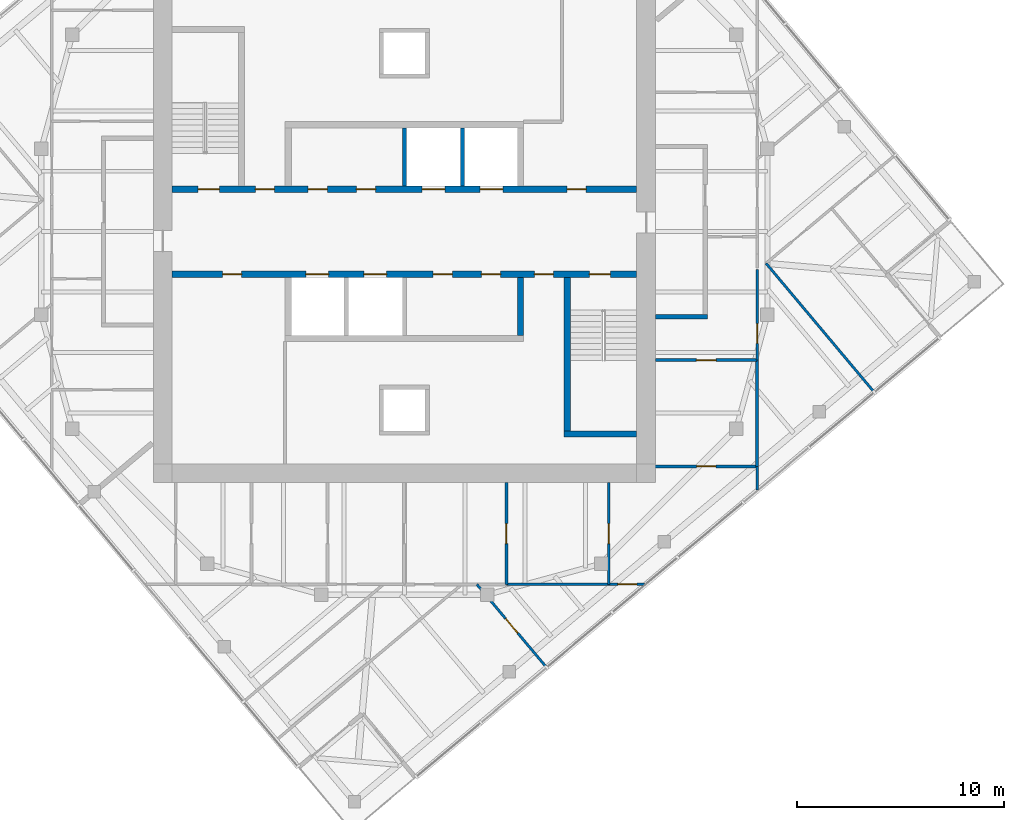
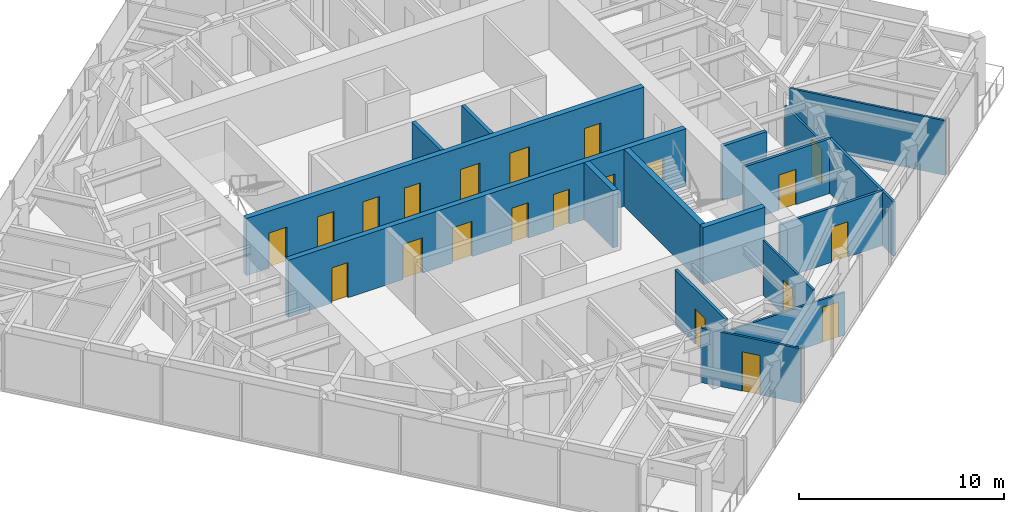
# One storey, part 8 of 11: 21 doors, 18 walls, 21 openings.
"""IFC4 building model written with IfcOpenShell, lengths in metres."""

from ifc_helpers import new_model, si_unit, direction, frame, frame_2d, origin, place, context, subcontext, project, spatial, rectangle, extrude, material, layer, layer_set, type_object, element, fill, save


model = new_model("IFC4")

# Units and contexts
model_context = context("Model", 3, precision=1e-05, world=origin(), true_north=direction((0.0, 1.0)))
body_context = subcontext(model_context, "Body", "Model", "MODEL_VIEW")
ifc_project = project(units=[si_unit("LENGTHUNIT", "METRE"), si_unit("AREAUNIT", "SQUARE_METRE"), si_unit("VOLUMEUNIT", "CUBIC_METRE"), si_unit("PLANEANGLEUNIT", "RADIAN"), si_unit("MASSUNIT", "GRAM", prefix="KILO")], contexts=[model_context])

# Site, building, storey
site_placement = place(None, origin())
site = spatial("IfcSite", under=ifc_project, at=site_placement, CompositionType="ELEMENT")
building_placement = place(site_placement, origin())
building = spatial("IfcBuilding", under=site, at=building_placement, Name="Torsade Residences", CompositionType="ELEMENT")
storey_placement = place(building_placement, frame((0.0, 0.0, 272.60009765625)))
storey = spatial("IfcBuildingStorey", under=building, at=storey_placement, Name="L75", CompositionType="ELEMENT", Elevation=272.60009765625)

# Wall, openings, doors
ifc_material_1 = material(Name="Concrete 80 MPa", Category="concrete")
ifc_layer_1 = layer(ifc_material_1, 0.300048828125)
ifc_layer_set_1 = layer_set([ifc_layer_1], Name="Concrete 80 MPa")
wall_type_1 = type_object("IfcWallType", Name="CORE INTERNAL WALL 300", PredefinedType="SHEAR", material=ifc_layer_set_1)
wall_1_placement = place(storey_placement, frame((28.800048828125, 32.050048828125, 0.0), z_axis=(0.0, 0.0, 1.0), x_axis=(1.0, 0.0, 0.0)))
wall_1 = element("IfcWall", 1, at=wall_1_placement, inside=storey, type_object=wall_type_1, Name="Core wall LN L75", PredefinedType="SHEAR", context=body_context, shape_type="SweptSolid", body=[
    extrude(rectangle(XDim=22.39990234375, YDim=0.300048828125, at=frame_2d((11.199951171875, 0.0))), origin(), (0.0, 0.0, 1.0), 3.39990234375),
])
opening_1_placement = place(wall_1_placement, frame((19.0400390625, 0.0, 0.0)))
opening_1 = element("IfcOpeningElement", 2, at=opening_1_placement, cuts=wall_1, Name="Opening D06", PredefinedType="OPENING", context=body_context, shape_type="SweptSolid", body=[
    extrude(rectangle(XDim=0.919921875, YDim=2.10009765625, at=frame_2d((0.4599609375, 1.050048828125))), frame((0.0, 0.159912109375, 0.0), z_axis=(0.0, -1.0, 0.0), x_axis=(1.0, 0.0, 0.0)), (0.0, 0.0, 1.0), 0.320068359375),
])
opening_2_placement = place(wall_1_placement, frame((1.264892578125, 0.0, 0.0)))
opening_2 = element("IfcOpeningElement", 3, at=opening_2_placement, cuts=wall_1, Name="Opening D03", PredefinedType="OPENING", context=body_context, shape_type="SweptSolid", body=[
    extrude(rectangle(XDim=1.02001953125, YDim=2.10009765625, at=frame_2d((0.510009765625, 1.050048828125))), frame((0.0, 0.159912109375, 0.0), z_axis=(0.0, -1.0, 0.0), x_axis=(1.0, 0.0, 0.0)), (0.0, 0.0, 1.0), 0.320068359375),
])
opening_3_placement = place(wall_1_placement, frame((4.014892578125, 0.0, 0.0)))
opening_3 = element("IfcOpeningElement", 4, at=opening_3_placement, cuts=wall_1, Name="Opening D06", PredefinedType="OPENING", context=body_context, shape_type="SweptSolid", body=[
    extrude(rectangle(XDim=0.919921875, YDim=2.10009765625, at=frame_2d((0.4599609375, 1.050048828125))), frame((0.0, 0.159912109375, 0.0), z_axis=(0.0, -1.0, 0.0), x_axis=(1.0, 0.0, 0.0)), (0.0, 0.0, 1.0), 0.320068359375),
])
opening_4_placement = place(wall_1_placement, frame((6.56494140625, 0.0, 0.0)))
opening_4 = element("IfcOpeningElement", 5, at=opening_4_placement, cuts=wall_1, Name="Opening D06", PredefinedType="OPENING", context=body_context, shape_type="SweptSolid", body=[
    extrude(rectangle(XDim=0.919921875, YDim=2.10009765625, at=frame_2d((0.4599609375, 1.050048828125))), frame((0.0, 0.159912109375, 0.0), z_axis=(0.0, -1.0, 0.0), x_axis=(1.0, 0.0, 0.0)), (0.0, 0.0, 1.0), 0.320068359375),
])
opening_5_placement = place(wall_1_placement, frame((8.889892578125, 0.0, 0.0)))
opening_5 = element("IfcOpeningElement", 6, at=opening_5_placement, cuts=wall_1, Name="Opening D06", PredefinedType="OPENING", context=body_context, shape_type="SweptSolid", body=[
    extrude(rectangle(XDim=0.919921875, YDim=2.10009765625, at=frame_2d((0.4599609375, 1.050048828125))), frame((0.0, 0.159912109375, 0.0), z_axis=(0.0, -1.0, 0.0), x_axis=(1.0, 0.0, 0.0)), (0.0, 0.0, 1.0), 0.320068359375),
])
opening_6_placement = place(wall_1_placement, frame((12.050048828125, 0.0, 0.0)))
opening_6 = element("IfcOpeningElement", 7, at=opening_6_placement, cuts=wall_1, Name="Opening LD", PredefinedType="OPENING", context=body_context, shape_type="SweptSolid", body=[
    extrude(rectangle(XDim=1.10009765625, YDim=2.10009765625, at=frame_2d((0.550048828125, 1.050048828125))), frame((0.0, 0.159912109375, 0.0), z_axis=(0.0, -1.0, 0.0), x_axis=(1.0, 0.0, 0.0)), (0.0, 0.0, 1.0), 0.320068359375),
])
opening_7_placement = place(wall_1_placement, frame((14.85009765625, 0.0, 0.0)))
opening_7 = element("IfcOpeningElement", 8, at=opening_7_placement, cuts=wall_1, Name="Opening LD", PredefinedType="OPENING", context=body_context, shape_type="SweptSolid", body=[
    extrude(rectangle(XDim=1.10009765625, YDim=2.10009765625, at=frame_2d((0.550048828125, 1.050048828125))), frame((0.0, 0.159912109375, 0.0), z_axis=(0.0, -1.0, 0.0), x_axis=(1.0, 0.0, 0.0)), (0.0, 0.0, 1.0), 0.320068359375),
])
ifc_material_2 = material(Name="Steel-framed fire door", Category="steel")
door_type_1 = type_object("IfcDoorType", Name="FIRE DOOR 1020", OperationType="NOTDEFINED", PredefinedType="DOOR", material=ifc_material_2)
door_1_placement = place(opening_2_placement, origin())
door_1 = element("IfcDoor", 9, at=door_1_placement, inside=storey, type_object=door_type_1, Name="Exit door to fire-isolated stair ST1 L75", OperationType="SINGLE_SWING_RIGHT", OverallHeight=2.10009765625, OverallWidth=1.02001953125, PredefinedType="DOOR", context=body_context, shape_type="SweptSolid", body=[
    extrude(rectangle(XDim=1.02001953125, YDim=2.10009765625, at=frame_2d((0.510009765625, 1.050048828125))), frame((0.0, 0.02490234375, 0.0), z_axis=(0.0, -1.0, 0.0), x_axis=(1.0, 0.0, 0.0)), (0.0, 0.0, 1.0), 0.050048828125),
])
fill(opening_2, door_1)
ifc_material_3 = material(Name="Steel-framed fire door", Category="steel")
door_type_2 = type_object("IfcDoorType", Name="FIRE DOOR 920", OperationType="NOTDEFINED", PredefinedType="DOOR", material=ifc_material_3)
door_2_placement = place(opening_1_placement, origin())
door_2 = element("IfcDoor", 10, at=door_2_placement, inside=storey, type_object=door_type_2, Name="Door Lift lobby to Refuse room", OperationType="SINGLE_SWING_LEFT", OverallHeight=2.10009765625, OverallWidth=0.919921875, PredefinedType="DOOR", context=body_context, shape_type="SweptSolid", body=[
    extrude(rectangle(XDim=0.919921875, YDim=2.10009765625, at=frame_2d((0.4599609375, 1.050048828125))), frame((0.0, 0.02490234375, 0.0), z_axis=(0.0, -1.0, 0.0), x_axis=(1.0, 0.0, 0.0)), (0.0, 0.0, 1.0), 0.050048828125),
])
fill(opening_1, door_2)
door_3_placement = place(opening_3_placement, origin())
door_3 = element("IfcDoor", 11, at=door_3_placement, inside=storey, type_object=door_type_2, Name="Door Lift lobby to Electrical riser room", OperationType="SINGLE_SWING_LEFT", OverallHeight=2.10009765625, OverallWidth=0.919921875, PredefinedType="DOOR", context=body_context, shape_type="SweptSolid", body=[
    extrude(rectangle(XDim=0.919921875, YDim=2.10009765625, at=frame_2d((0.4599609375, 1.050048828125))), frame((0.0, 0.02490234375, 0.0), z_axis=(0.0, -1.0, 0.0), x_axis=(1.0, 0.0, 0.0)), (0.0, 0.0, 1.0), 0.050048828125),
])
fill(opening_3, door_3)
door_4_placement = place(opening_4_placement, origin())
door_4 = element("IfcDoor", 12, at=door_4_placement, inside=storey, type_object=door_type_2, Name="Door Lift lobby to Bulky waste store L75A", OperationType="SINGLE_SWING_RIGHT", OverallHeight=2.10009765625, OverallWidth=0.919921875, PredefinedType="DOOR", context=body_context, shape_type="SweptSolid", body=[
    extrude(rectangle(XDim=0.919921875, YDim=2.10009765625, at=frame_2d((0.4599609375, 1.050048828125))), frame((0.0, 0.02490234375, 0.0), z_axis=(0.0, -1.0, 0.0), x_axis=(1.0, 0.0, 0.0)), (0.0, 0.0, 1.0), 0.050048828125),
])
fill(opening_4, door_4)
door_5_placement = place(opening_5_placement, origin())
door_5 = element("IfcDoor", 13, at=door_5_placement, inside=storey, type_object=door_type_2, Name="Door Lift lobby to Bulky waste store L75A", OperationType="SINGLE_SWING_LEFT", OverallHeight=2.10009765625, OverallWidth=0.919921875, PredefinedType="DOOR", context=body_context, shape_type="SweptSolid", body=[
    extrude(rectangle(XDim=0.919921875, YDim=2.10009765625, at=frame_2d((0.4599609375, 1.050048828125))), frame((0.0, 0.02490234375, 0.0), z_axis=(0.0, -1.0, 0.0), x_axis=(1.0, 0.0, 0.0)), (0.0, 0.0, 1.0), 0.050048828125),
])
fill(opening_5, door_5)
ifc_material_4 = material(Name="Stainless steel lift landing door", Category="steel")
door_type_3 = type_object("IfcDoorType", Name="LIFT LANDING DOOR 1100", OperationType="SLIDING_TO_LEFT", PredefinedType="DOOR", material=ifc_material_4)
door_6_placement = place(opening_6_placement, origin())
door_6 = element("IfcDoor", 14, at=door_6_placement, inside=storey, type_object=door_type_3, Name="Lift LA3 landing door L75", OperationType="SLIDING_TO_LEFT", OverallHeight=2.10009765625, OverallWidth=1.10009765625, PredefinedType="DOOR", context=body_context, shape_type="SweptSolid", body=[
    extrude(rectangle(XDim=1.10009765625, YDim=2.10009765625, at=frame_2d((0.550048828125, 1.050048828125))), frame((0.0, 0.02490234375, 0.0), z_axis=(0.0, -1.0, 0.0), x_axis=(1.0, 0.0, 0.0)), (0.0, 0.0, 1.0), 0.050048828125),
])
fill(opening_6, door_6)
door_7_placement = place(opening_7_placement, origin())
door_7 = element("IfcDoor", 15, at=door_7_placement, inside=storey, type_object=door_type_3, Name="Lift FL1 landing door L75", OperationType="SLIDING_TO_LEFT", OverallHeight=2.10009765625, OverallWidth=1.10009765625, PredefinedType="DOOR", context=body_context, shape_type="SweptSolid", body=[
    extrude(rectangle(XDim=1.10009765625, YDim=2.10009765625, at=frame_2d((0.550048828125, 1.050048828125))), frame((0.0, 0.02490234375, 0.0), z_axis=(0.0, -1.0, 0.0), x_axis=(1.0, 0.0, 0.0)), (0.0, 0.0, 1.0), 0.050048828125),
])
fill(opening_7, door_7)

wall_2_placement = place(storey_placement, frame((51.199951171875, 27.949951171875, 0.0), z_axis=(0.0, 0.0, 1.0), x_axis=(-1.0, 0.0, 0.0)))
wall_2 = element("IfcWall", 16, at=wall_2_placement, inside=storey, type_object=wall_type_1, Name="Core wall LS L75", PredefinedType="SHEAR", context=body_context, shape_type="SweptSolid", body=[
    extrude(rectangle(XDim=22.39990234375, YDim=0.300048828125, at=frame_2d((11.199951171875, 0.0))), origin(), (0.0, 0.0, 1.0), 3.39990234375),
])
opening_8_placement = place(wall_2_placement, frame((19.0400390625, 0.0, 0.0)))
opening_8 = element("IfcOpeningElement", 17, at=opening_8_placement, cuts=wall_2, Name="Opening D06", PredefinedType="OPENING", context=body_context, shape_type="SweptSolid", body=[
    extrude(rectangle(XDim=0.919921875, YDim=2.10009765625, at=frame_2d((0.4599609375, 1.050048828125))), frame((0.0, 0.159912109375, 0.0), z_axis=(0.0, -1.0, 0.0), x_axis=(1.0, 0.0, 0.0)), (0.0, 0.0, 1.0), 0.320068359375),
])
opening_9_placement = place(wall_2_placement, frame((1.264892578125, 0.0, 0.0)))
opening_9 = element("IfcOpeningElement", 18, at=opening_9_placement, cuts=wall_2, Name="Opening D03", PredefinedType="OPENING", context=body_context, shape_type="SweptSolid", body=[
    extrude(rectangle(XDim=1.02001953125, YDim=2.10009765625, at=frame_2d((0.510009765625, 1.050048828125))), frame((0.0, 0.159912109375, 0.0), z_axis=(0.0, -1.0, 0.0), x_axis=(1.0, 0.0, 0.0)), (0.0, 0.0, 1.0), 0.320068359375),
])
opening_10_placement = place(wall_2_placement, frame((4.014892578125, 0.0, 0.0)))
opening_10 = element("IfcOpeningElement", 19, at=opening_10_placement, cuts=wall_2, Name="Opening D06", PredefinedType="OPENING", context=body_context, shape_type="SweptSolid", body=[
    extrude(rectangle(XDim=0.919921875, YDim=2.10009765625, at=frame_2d((0.4599609375, 1.050048828125))), frame((0.0, 0.159912109375, 0.0), z_axis=(0.0, -1.0, 0.0), x_axis=(1.0, 0.0, 0.0)), (0.0, 0.0, 1.0), 0.320068359375),
])
opening_11_placement = place(wall_2_placement, frame((8.889892578125, 0.0, 0.0)))
opening_11 = element("IfcOpeningElement", 20, at=opening_11_placement, cuts=wall_2, Name="Opening D06", PredefinedType="OPENING", context=body_context, shape_type="SweptSolid", body=[
    extrude(rectangle(XDim=0.919921875, YDim=2.10009765625, at=frame_2d((0.4599609375, 1.050048828125))), frame((0.0, 0.159912109375, 0.0), z_axis=(0.0, -1.0, 0.0), x_axis=(1.0, 0.0, 0.0)), (0.0, 0.0, 1.0), 0.320068359375),
])
opening_12_placement = place(wall_2_placement, frame((6.56494140625, 0.0, 0.0)))
opening_12 = element("IfcOpeningElement", 21, at=opening_12_placement, cuts=wall_2, Name="Opening D06", PredefinedType="OPENING", context=body_context, shape_type="SweptSolid", body=[
    extrude(rectangle(XDim=0.919921875, YDim=2.10009765625, at=frame_2d((0.4599609375, 1.050048828125))), frame((0.0, 0.159912109375, 0.0), z_axis=(0.0, -1.0, 0.0), x_axis=(1.0, 0.0, 0.0)), (0.0, 0.0, 1.0), 0.320068359375),
])
opening_13_placement = place(wall_2_placement, frame((12.050048828125, 0.0, 0.0)))
opening_13 = element("IfcOpeningElement", 22, at=opening_13_placement, cuts=wall_2, Name="Opening LD", PredefinedType="OPENING", context=body_context, shape_type="SweptSolid", body=[
    extrude(rectangle(XDim=1.10009765625, YDim=2.10009765625, at=frame_2d((0.550048828125, 1.050048828125))), frame((0.0, 0.159912109375, 0.0), z_axis=(0.0, -1.0, 0.0), x_axis=(1.0, 0.0, 0.0)), (0.0, 0.0, 1.0), 0.320068359375),
])
opening_14_placement = place(wall_2_placement, frame((14.85009765625, 0.0, 0.0)))
opening_14 = element("IfcOpeningElement", 23, at=opening_14_placement, cuts=wall_2, Name="Opening LD", PredefinedType="OPENING", context=body_context, shape_type="SweptSolid", body=[
    extrude(rectangle(XDim=1.10009765625, YDim=2.10009765625, at=frame_2d((0.550048828125, 1.050048828125))), frame((0.0, 0.159912109375, 0.0), z_axis=(0.0, -1.0, 0.0), x_axis=(1.0, 0.0, 0.0)), (0.0, 0.0, 1.0), 0.320068359375),
])
door_8_placement = place(opening_9_placement, origin())
door_8 = element("IfcDoor", 24, at=door_8_placement, inside=storey, type_object=door_type_1, Name="Exit door to fire-isolated stair ST2 L75", OperationType="SINGLE_SWING_RIGHT", OverallHeight=2.10009765625, OverallWidth=1.02001953125, PredefinedType="DOOR", context=body_context, shape_type="SweptSolid", body=[
    extrude(rectangle(XDim=1.02001953125, YDim=2.10009765625, at=frame_2d((0.510009765625, 1.050048828125))), frame((0.0, 0.02490234375, 0.0), z_axis=(0.0, -1.0, 0.0), x_axis=(1.0, 0.0, 0.0)), (0.0, 0.0, 1.0), 0.050048828125),
])
fill(opening_9, door_8)
door_9_placement = place(opening_8_placement, origin())
door_9 = element("IfcDoor", 25, at=door_9_placement, inside=storey, type_object=door_type_2, Name="Door Lift lobby to Cleaner store", OperationType="SINGLE_SWING_LEFT", OverallHeight=2.10009765625, OverallWidth=0.919921875, PredefinedType="DOOR", context=body_context, shape_type="SweptSolid", body=[
    extrude(rectangle(XDim=0.919921875, YDim=2.10009765625, at=frame_2d((0.4599609375, 1.050048828125))), frame((0.0, 0.02490234375, 0.0), z_axis=(0.0, -1.0, 0.0), x_axis=(1.0, 0.0, 0.0)), (0.0, 0.0, 1.0), 0.050048828125),
])
fill(opening_8, door_9)
door_10_placement = place(opening_10_placement, origin())
door_10 = element("IfcDoor", 26, at=door_10_placement, inside=storey, type_object=door_type_2, Name="Door Lift lobby to Communications riser room", OperationType="SINGLE_SWING_RIGHT", OverallHeight=2.10009765625, OverallWidth=0.919921875, PredefinedType="DOOR", context=body_context, shape_type="SweptSolid", body=[
    extrude(rectangle(XDim=0.919921875, YDim=2.10009765625, at=frame_2d((0.4599609375, 1.050048828125))), frame((0.0, 0.02490234375, 0.0), z_axis=(0.0, -1.0, 0.0), x_axis=(1.0, 0.0, 0.0)), (0.0, 0.0, 1.0), 0.050048828125),
])
fill(opening_10, door_10)
door_11_placement = place(opening_11_placement, origin())
door_11 = element("IfcDoor", 27, at=door_11_placement, inside=storey, type_object=door_type_2, Name="Door Lift lobby to Communications room L75B", OperationType="SINGLE_SWING_LEFT", OverallHeight=2.10009765625, OverallWidth=0.919921875, PredefinedType="DOOR", context=body_context, shape_type="SweptSolid", body=[
    extrude(rectangle(XDim=0.919921875, YDim=2.10009765625, at=frame_2d((0.4599609375, 1.050048828125))), frame((0.0, 0.02490234375, 0.0), z_axis=(0.0, -1.0, 0.0), x_axis=(1.0, 0.0, 0.0)), (0.0, 0.0, 1.0), 0.050048828125),
])
fill(opening_11, door_11)
door_12_placement = place(opening_12_placement, origin())
door_12 = element("IfcDoor", 28, at=door_12_placement, inside=storey, type_object=door_type_2, Name="Door Lift lobby to Communications room L75B", OperationType="SINGLE_SWING_LEFT", OverallHeight=2.10009765625, OverallWidth=0.919921875, PredefinedType="DOOR", context=body_context, shape_type="SweptSolid", body=[
    extrude(rectangle(XDim=0.919921875, YDim=2.10009765625, at=frame_2d((0.4599609375, 1.050048828125))), frame((0.0, 0.02490234375, 0.0), z_axis=(0.0, -1.0, 0.0), x_axis=(1.0, 0.0, 0.0)), (0.0, 0.0, 1.0), 0.050048828125),
])
fill(opening_12, door_12)
door_13_placement = place(opening_13_placement, origin())
door_13 = element("IfcDoor", 29, at=door_13_placement, inside=storey, type_object=door_type_3, Name="Lift LB3 landing door L75", OperationType="SLIDING_TO_LEFT", OverallHeight=2.10009765625, OverallWidth=1.10009765625, PredefinedType="DOOR", context=body_context, shape_type="SweptSolid", body=[
    extrude(rectangle(XDim=1.10009765625, YDim=2.10009765625, at=frame_2d((0.550048828125, 1.050048828125))), frame((0.0, 0.02490234375, 0.0), z_axis=(0.0, -1.0, 0.0), x_axis=(1.0, 0.0, 0.0)), (0.0, 0.0, 1.0), 0.050048828125),
])
fill(opening_13, door_13)
door_14_placement = place(opening_14_placement, origin())
door_14 = element("IfcDoor", 30, at=door_14_placement, inside=storey, type_object=door_type_3, Name="Lift FL2 landing door L75", OperationType="SLIDING_TO_LEFT", OverallHeight=2.10009765625, OverallWidth=1.10009765625, PredefinedType="DOOR", context=body_context, shape_type="SweptSolid", body=[
    extrude(rectangle(XDim=1.10009765625, YDim=2.10009765625, at=frame_2d((0.550048828125, 1.050048828125))), frame((0.0, 0.02490234375, 0.0), z_axis=(0.0, -1.0, 0.0), x_axis=(1.0, 0.0, 0.0)), (0.0, 0.0, 1.0), 0.050048828125),
])
fill(opening_14, door_14)

# Walls
wall_3_placement = place(storey_placement, frame((45.60009765625, 27.800048828125, 0.0), z_axis=(0.0, 0.0, 1.0), x_axis=(0.0, -1.0, 0.0)))
element("IfcWall", 31, at=wall_3_placement, inside=storey, type_object=wall_type_1, Name="Core wall DS0 L75", PredefinedType="SHEAR", context=body_context, shape_type="SweptSolid", body=[
    extrude(rectangle(XDim=2.800048828125, YDim=0.300048828125, at=frame_2d((1.39990234375, 0.0))), origin(), (0.0, 0.0, 1.0), 3.39990234375),
])
wall_4_placement = place(storey_placement, frame((47.85009765625, 27.800048828125, 0.0), z_axis=(0.0, 0.0, 1.0), x_axis=(0.0, -1.0, 0.0)))
element("IfcWall", 32, at=wall_4_placement, inside=storey, type_object=wall_type_1, Name="Core wall ST2W L75", PredefinedType="SHEAR", context=body_context, shape_type="SweptSolid", body=[
    extrude(rectangle(XDim=7.699951171875, YDim=0.300048828125, at=frame_2d((3.85009765625, 0.0))), origin(), (0.0, 0.0, 1.0), 3.39990234375),
])
wall_5_placement = place(storey_placement, frame((51.199951171875, 20.25, 0.0), z_axis=(0.0, 0.0, 1.0), x_axis=(-1.0, 0.0, 0.0)))
element("IfcWall", 33, at=wall_5_placement, inside=storey, type_object=wall_type_1, Name="Core wall ST2S L75", PredefinedType="SHEAR", context=body_context, shape_type="SweptSolid", body=[
    extrude(rectangle(XDim=3.5, YDim=0.300048828125, at=frame_2d((1.75, 0.0))), origin(), (0.0, 0.0, 1.0), 3.39990234375),
])
ifc_material_5 = material(Name="Plasterboard on steel stud", Category="steel")
ifc_layer_2 = layer(ifc_material_5, 0.199951171875)
ifc_layer_set_2 = layer_set([ifc_layer_2], Name="Plasterboard on steel stud")
wall_type_2 = type_object("IfcWallType", Name="CORRIDOR WALL 200", PredefinedType="PARTITIONING", material=ifc_layer_set_2)
wall_6_placement = place(storey_placement, frame((52.10009765625, 25.89990234375, 0.0), z_axis=(0.0, 0.0, 1.0), x_axis=(1.0, 0.0, 0.0)))
element("IfcWall", 34, at=wall_6_placement, inside=storey, type_object=wall_type_2, Name="Corridor wall L75", PredefinedType="PARTITIONING", context=body_context, shape_type="SweptSolid", body=[
    extrude(rectangle(XDim=2.5, YDim=0.199951171875, at=frame_2d((1.25, 0.0))), origin(), (0.0, 0.0, 1.0), 3.25),
])
ifc_material_6 = material(Name="Reinforced blockwork", Category="masonry")
ifc_layer_3 = layer(ifc_material_6, 0.199951171875)
ifc_layer_set_3 = layer_set([ifc_layer_3], Name="Reinforced blockwork")
wall_type_3 = type_object("IfcWallType", Name="LIFT SHAFT DIVIDING WALL 200", PredefinedType="SOLIDWALL", material=ifc_layer_set_3)
for number, where, z_axis, x_axis, name in (
    (35, (40.0, 32.199951171875, 0.0), (0.0, 0.0, 1.0), (0.0, 1.0, 0.0), "Core wall DN2 L75"),
    (36, (42.800048828125, 32.199951171875, 0.0), (0.0, 0.0, 1.0), (0.0, 1.0, 0.0), "Core wall DN3 L75"),
):
    element("IfcWall", number, at=place(storey_placement, frame(where, z_axis=z_axis, x_axis=x_axis)), inside=storey, type_object=wall_type_3, Name=name, PredefinedType="SOLIDWALL", context=body_context, shape_type="SweptSolid", body=[
        extrude(rectangle(XDim=2.800048828125, YDim=0.199951171875, at=frame_2d((1.39990234375, 0.0))), origin(), (0.0, 0.0, 1.0), 3.39990234375),
    ])

# Wall, opening, door
ifc_material_7 = material(Name="Plasterboard on steel stud", Category="steel")
ifc_layer_4 = layer(ifc_material_7, 0.1201171875)
ifc_layer_set_4 = layer_set([ifc_layer_4], Name="Plasterboard on steel stud")
wall_type_4 = type_object("IfcWallType", Name="PARTITION 120", PredefinedType="PARTITIONING", material=ifc_layer_set_4)
wall_7_placement = place(storey_placement, frame((57.0, 28.175537109375, 0.0), z_axis=(0.0, 0.0, 1.0), x_axis=(0.0, -1.0, 0.0)))
wall_7 = element("IfcWall", 37, at=wall_7_placement, inside=storey, type_object=wall_type_4, Name="Partition L75", PredefinedType="PARTITIONING", context=body_context, shape_type="SweptSolid", body=[
    extrude(rectangle(XDim=4.365478515625, YDim=0.1201171875, at=frame_2d((2.1826171875, 0.0))), origin(), (0.0, 0.0, 1.0), 2.5498046875),
])
opening_15_placement = place(wall_7_placement, frame((2.602783203125, 0.0, 0.0)))
opening_15 = element("IfcOpeningElement", 38, at=opening_15_placement, cuts=wall_7, Name="Opening D05", PredefinedType="OPENING", context=body_context, shape_type="SweptSolid", body=[
    extrude(rectangle(XDim=0.9599609375, YDim=2.10009765625, at=frame_2d((0.47998046875, 1.050048828125))), frame((0.0, 0.070068359375, 0.0), z_axis=(0.0, -1.0, 0.0), x_axis=(1.0, 0.0, 0.0)), (0.0, 0.0, 1.0), 0.14013671875),
])
ifc_material_8 = material(Name="Hollow-core timber door in a steel cavity frame", Category="steel")
door_type_4 = type_object("IfcDoorType", Name="BATHROOM CAVITY SLIDING DOOR 960", OperationType="SLIDING_TO_LEFT", PredefinedType="DOOR", material=ifc_material_8)
door_15_placement = place(opening_15_placement, origin())
door_15 = element("IfcDoor", 39, at=door_15_placement, inside=storey, type_object=door_type_4, Name="Door Bathroom to Bedroom 3", OperationType="SLIDING_TO_LEFT", OverallHeight=2.10009765625, OverallWidth=0.9599609375, PredefinedType="DOOR", context=body_context, shape_type="SweptSolid", body=[
    extrude(rectangle(XDim=0.9599609375, YDim=2.10009765625, at=frame_2d((0.47998046875, 1.050048828125))), frame((0.0, 0.02490234375, 0.0), z_axis=(0.0, -1.0, 0.0), x_axis=(1.0, 0.0, 0.0)), (0.0, 0.0, 1.0), 0.050048828125),
])
fill(opening_15, door_15)

wall_8_placement = place(storey_placement, frame((49.859619140625, 17.89990234375, 0.0), z_axis=(0.0, 0.0, 1.0), x_axis=(0.0, -1.0, 0.0)))
wall_8 = element("IfcWall", 40, at=wall_8_placement, inside=storey, type_object=wall_type_4, Name="Partition L75", PredefinedType="PARTITIONING", context=body_context, shape_type="SweptSolid", body=[
    extrude(rectangle(XDim=4.89990234375, YDim=0.1201171875, at=frame_2d((2.449951171875, 0.0))), origin(), (0.0, 0.0, 1.0), 3.25),
])
opening_16_placement = place(wall_8_placement, frame((1.969970703125, 0.0, 0.0)))
opening_16 = element("IfcOpeningElement", 41, at=opening_16_placement, cuts=wall_8, Name="Opening D05", PredefinedType="OPENING", context=body_context, shape_type="SweptSolid", body=[
    extrude(rectangle(XDim=0.9599609375, YDim=2.10009765625, at=frame_2d((0.47998046875, 1.050048828125))), frame((0.0, 0.070068359375, 0.0), z_axis=(0.0, -1.0, 0.0), x_axis=(1.0, 0.0, 0.0)), (0.0, 0.0, 1.0), 0.14013671875),
])
door_16_placement = place(opening_16_placement, origin())
door_16 = element("IfcDoor", 42, at=door_16_placement, inside=storey, type_object=door_type_4, Name="Door Study to Laundry", OperationType="SLIDING_TO_LEFT", OverallHeight=2.10009765625, OverallWidth=0.9599609375, PredefinedType="DOOR", context=body_context, shape_type="SweptSolid", body=[
    extrude(rectangle(XDim=0.9599609375, YDim=2.10009765625, at=frame_2d((0.47998046875, 1.050048828125))), frame((0.0, 0.02490234375, 0.0), z_axis=(0.0, -1.0, 0.0), x_axis=(1.0, 0.0, 0.0)), (0.0, 0.0, 1.0), 0.050048828125),
])
fill(opening_16, door_16)

wall_9_placement = place(storey_placement, frame((51.5703125, 13.0, 0.0), z_axis=(0.0, 0.0, 1.0), x_axis=(-1.0, 0.0, 0.0)))
wall_9 = element("IfcWall", 43, at=wall_9_placement, inside=storey, type_object=wall_type_4, Name="Partition L75", PredefinedType="PARTITIONING", context=body_context, shape_type="SweptSolid", body=[
    extrude(rectangle(XDim=6.65234375, YDim=0.1201171875, at=frame_2d((3.326171875, 0.0))), origin(), (0.0, 0.0, 1.0), 2.5498046875),
])
opening_17_placement = place(wall_9_placement, frame((0.3642578125, 0.0, 0.0)))
opening_17 = element("IfcOpeningElement", 44, at=opening_17_placement, cuts=wall_9, Name="Opening D02L", PredefinedType="OPENING", context=body_context, shape_type="SweptSolid", body=[
    extrude(rectangle(XDim=0.919921875, YDim=2.10009765625, at=frame_2d((0.4599609375, 1.050048828125))), frame((0.0, 0.070068359375, 0.0), z_axis=(0.0, -1.0, 0.0), x_axis=(1.0, 0.0, 0.0)), (0.0, 0.0, 1.0), 0.14013671875),
])
ifc_material_9 = material(Name="Hollow-core timber door", Category="wood")
door_type_5 = type_object("IfcDoorType", Name="INTERNAL DOOR 920x2100", OperationType="NOTDEFINED", PredefinedType="DOOR", material=ifc_material_9)
door_17_placement = place(opening_17_placement, origin())
door_17 = element("IfcDoor", 45, at=door_17_placement, inside=storey, type_object=door_type_5, Name="Door Study to Family room", OperationType="SINGLE_SWING_LEFT", OverallHeight=2.10009765625, OverallWidth=0.919921875, PredefinedType="DOOR", context=body_context, shape_type="SweptSolid", body=[
    extrude(rectangle(XDim=0.919921875, YDim=2.10009765625, at=frame_2d((0.4599609375, 1.050048828125))), frame((0.0, 0.02490234375, 0.0), z_axis=(0.0, -1.0, 0.0), x_axis=(1.0, 0.0, 0.0)), (0.0, 0.0, 1.0), 0.050048828125),
])
fill(opening_17, door_17)

# Wall
wall_10_placement = place(storey_placement, frame((57.0, 18.689453125, 0.0), z_axis=(0.0, 0.0, 1.0), x_axis=(0.0, -1.0, 0.0)))
element("IfcWall", 46, at=wall_10_placement, inside=storey, type_object=wall_type_4, Name="Partition L75", PredefinedType="PARTITIONING", context=body_context, shape_type="SweptSolid", body=[
    extrude(rectangle(XDim=1.13330078125, YDim=0.1201171875, at=frame_2d((0.566650390625, 0.0))), origin(), (0.0, 0.0, 1.0), 3.25),
])

# Wall, opening, door
wall_11_placement = place(storey_placement, frame((43.4951171875, 13.0, 0.0), z_axis=(0.0, 0.0, 1.0), x_axis=(0.642776136034, -0.76605407051, 0.0)))
wall_11 = element("IfcWall", 47, at=wall_11_placement, inside=storey, type_object=wall_type_4, Name="Partition L75", PredefinedType="PARTITIONING", context=body_context, shape_type="SweptSolid", body=[
    extrude(rectangle(XDim=5.190673828125, YDim=0.1201171875, at=frame_2d((2.59521484375, 0.0))), origin(), (0.0, 0.0, 1.0), 3.25),
])
opening_18_placement = place(wall_11_placement, frame((2.1552734375, 0.0, 0.0)))
opening_18 = element("IfcOpeningElement", 48, at=opening_18_placement, cuts=wall_11, Name="Opening D02", PredefinedType="OPENING", context=body_context, shape_type="SweptSolid", body=[
    extrude(rectangle(XDim=0.919921875, YDim=2.340087890625, at=frame_2d((0.4599609375, 1.169921875))), frame((0.0, 0.070068359375, 0.0), z_axis=(0.0, -1.0, 0.0), x_axis=(1.0, 0.0, 0.0)), (0.0, 0.0, 1.0), 0.14013671875),
])
ifc_material_10 = material(Name="Hollow-core timber door", Category="wood")
door_type_6 = type_object("IfcDoorType", Name="INTERNAL DOOR 920x2340", OperationType="NOTDEFINED", PredefinedType="DOOR", material=ifc_material_10)
door_18_placement = place(opening_18_placement, origin())
door_18 = element("IfcDoor", 49, at=door_18_placement, inside=storey, type_object=door_type_6, Name="Door Family room to Living room", OperationType="SINGLE_SWING_LEFT", OverallHeight=2.340087890625, OverallWidth=0.919921875, PredefinedType="DOOR", context=body_context, shape_type="SweptSolid", body=[
    extrude(rectangle(XDim=0.919921875, YDim=2.340087890625, at=frame_2d((0.4599609375, 1.169921875))), frame((0.0, 0.02490234375, 0.0), z_axis=(0.0, -1.0, 0.0), x_axis=(1.0, 0.0, 0.0)), (0.0, 0.0, 1.0), 0.050048828125),
])
fill(opening_18, door_18)

# Wall
wall_12_placement = place(storey_placement, frame((62.63134765625, 22.28125, 0.0), z_axis=(0.0, 0.0, 1.0), x_axis=(-0.642800378028, 0.766033729027, 0.0)))
element("IfcWall", 50, at=wall_12_placement, inside=storey, type_object=wall_type_4, Name="Partition L75", PredefinedType="PARTITIONING", context=body_context, shape_type="SweptSolid", body=[
    extrude(rectangle(XDim=8.0849609375, YDim=0.1201171875, at=frame_2d((4.04248046875, 0.0))), origin(), (0.0, 0.0, 1.0), 3.25),
])

# Wall, opening, door
ifc_material_11 = material(Name="Reinforced blockwork", Category="masonry")
ifc_layer_5 = layer(ifc_material_11, 0.14990234375)
ifc_layer_set_5 = layer_set([ifc_layer_5], Name="Reinforced blockwork")
wall_type_5 = type_object("IfcWallType", Name="SERVICE ROOM WALL 150", PredefinedType="SOLIDWALL", material=ifc_layer_set_5)
wall_13_placement = place(storey_placement, frame((57.0, 23.81005859375, 0.0), z_axis=(0.0, 0.0, 1.0), x_axis=(-1.0, 0.0, 0.0)))
wall_13 = element("IfcWall", 51, at=wall_13_placement, inside=storey, type_object=wall_type_5, Name="Service room wall L75", PredefinedType="SOLIDWALL", context=body_context, shape_type="SweptSolid", body=[
    extrude(rectangle(XDim=4.89990234375, YDim=0.14990234375, at=frame_2d((2.449951171875, 0.0))), origin(), (0.0, 0.0, 1.0), 3.25),
])
opening_19_placement = place(wall_13_placement, frame((1.969970703125, 0.0, 0.0)))
opening_19 = element("IfcOpeningElement", 52, at=opening_19_placement, cuts=wall_13, Name="Opening D05", PredefinedType="OPENING", context=body_context, shape_type="SweptSolid", body=[
    extrude(rectangle(XDim=0.9599609375, YDim=2.10009765625, at=frame_2d((0.47998046875, 1.050048828125))), frame((0.0, 0.0849609375, 0.0), z_axis=(0.0, -1.0, 0.0), x_axis=(1.0, 0.0, 0.0)), (0.0, 0.0, 1.0), 0.169921875),
])
door_19_placement = place(opening_19_placement, origin())
door_19 = element("IfcDoor", 53, at=door_19_placement, inside=storey, type_object=door_type_4, Name="Door Bathroom to Linen store 3", OperationType="SLIDING_TO_LEFT", OverallHeight=2.10009765625, OverallWidth=0.9599609375, PredefinedType="DOOR", context=body_context, shape_type="SweptSolid", body=[
    extrude(rectangle(XDim=0.9599609375, YDim=2.10009765625, at=frame_2d((0.47998046875, 1.050048828125))), frame((0.0, 0.02490234375, 0.0), z_axis=(0.0, -1.0, 0.0), x_axis=(1.0, 0.0, 0.0)), (0.0, 0.0, 1.0), 0.050048828125),
])
fill(opening_19, door_19)

wall_14_placement = place(storey_placement, frame((44.91796875, 13.0, 0.0), z_axis=(0.0, 0.0, 1.0), x_axis=(0.0, 1.0, 0.0)))
wall_14 = element("IfcWall", 54, at=wall_14_placement, inside=storey, type_object=wall_type_5, Name="Service room wall L75", PredefinedType="SOLIDWALL", context=body_context, shape_type="SweptSolid", body=[
    extrude(rectangle(XDim=4.89990234375, YDim=0.14990234375, at=frame_2d((2.449951171875, 0.0))), origin(), (0.0, 0.0, 1.0), 3.25),
])
opening_20_placement = place(wall_14_placement, frame((1.969970703125, 0.0, 0.0)))
opening_20 = element("IfcOpeningElement", 55, at=opening_20_placement, cuts=wall_14, Name="Opening D05", PredefinedType="OPENING", context=body_context, shape_type="SweptSolid", body=[
    extrude(rectangle(XDim=0.9599609375, YDim=2.10009765625, at=frame_2d((0.47998046875, 1.050048828125))), frame((0.0, 0.0849609375, 0.0), z_axis=(0.0, -1.0, 0.0), x_axis=(1.0, 0.0, 0.0)), (0.0, 0.0, 1.0), 0.169921875),
])
door_20_placement = place(opening_20_placement, origin())
door_20 = element("IfcDoor", 56, at=door_20_placement, inside=storey, type_object=door_type_4, Name="Door Laundry to Linen store 2", OperationType="SLIDING_TO_LEFT", OverallHeight=2.10009765625, OverallWidth=0.9599609375, PredefinedType="DOOR", context=body_context, shape_type="SweptSolid", body=[
    extrude(rectangle(XDim=0.9599609375, YDim=2.10009765625, at=frame_2d((0.47998046875, 1.050048828125))), frame((0.0, 0.02490234375, 0.0), z_axis=(0.0, -1.0, 0.0), x_axis=(1.0, 0.0, 0.0)), (0.0, 0.0, 1.0), 0.050048828125),
])
fill(opening_20, door_20)

wall_15_placement = place(storey_placement, frame((51.179931640625, 18.689453125, 0.0), z_axis=(0.0, 0.0, 1.0), x_axis=(1.0, 0.0, 0.0)))
wall_15 = element("IfcWall", 57, at=wall_15_placement, inside=storey, type_object=wall_type_5, Name="Service room wall L75", PredefinedType="SOLIDWALL", context=body_context, shape_type="SweptSolid", body=[
    extrude(rectangle(XDim=5.820068359375, YDim=0.14990234375, at=frame_2d((2.91015625, 0.0))), origin(), (0.0, 0.0, 1.0), 3.25),
])
opening_21_placement = place(wall_15_placement, frame((2.909912109375, 0.0, 0.0)))
opening_21 = element("IfcOpeningElement", 58, at=opening_21_placement, cuts=wall_15, Name="Opening D02L", PredefinedType="OPENING", context=body_context, shape_type="SweptSolid", body=[
    extrude(rectangle(XDim=0.919921875, YDim=2.10009765625, at=frame_2d((0.4599609375, 1.050048828125))), frame((0.0, 0.0849609375, 0.0), z_axis=(0.0, -1.0, 0.0), x_axis=(1.0, 0.0, 0.0)), (0.0, 0.0, 1.0), 0.169921875),
])
door_21_placement = place(opening_21_placement, origin())
door_21 = element("IfcDoor", 59, at=door_21_placement, inside=storey, type_object=door_type_5, Name="Door Linen store 3 to Study", OperationType="SINGLE_SWING_RIGHT", OverallHeight=2.10009765625, OverallWidth=0.919921875, PredefinedType="DOOR", context=body_context, shape_type="SweptSolid", body=[
    extrude(rectangle(XDim=0.919921875, YDim=2.10009765625, at=frame_2d((0.4599609375, 1.050048828125))), frame((0.0, 0.02490234375, 0.0), z_axis=(0.0, -1.0, 0.0), x_axis=(1.0, 0.0, 0.0)), (0.0, 0.0, 1.0), 0.050048828125),
])
fill(opening_21, door_21)

# Wall
wall_16_placement = place(storey_placement, frame((57.0, 23.81005859375, 0.0), z_axis=(0.0, 0.0, 1.0), x_axis=(0.0, -1.0, 0.0)))
element("IfcWall", 60, at=wall_16_placement, inside=storey, type_object=wall_type_5, Name="Service room wall L75", PredefinedType="SOLIDWALL", context=body_context, shape_type="SweptSolid", body=[
    extrude(rectangle(XDim=5.12060546875, YDim=0.14990234375, at=frame_2d((2.560302734375, 0.0))), origin(), (0.0, 0.0, 1.0), 3.25),
])

save(model, "model.ifc")
